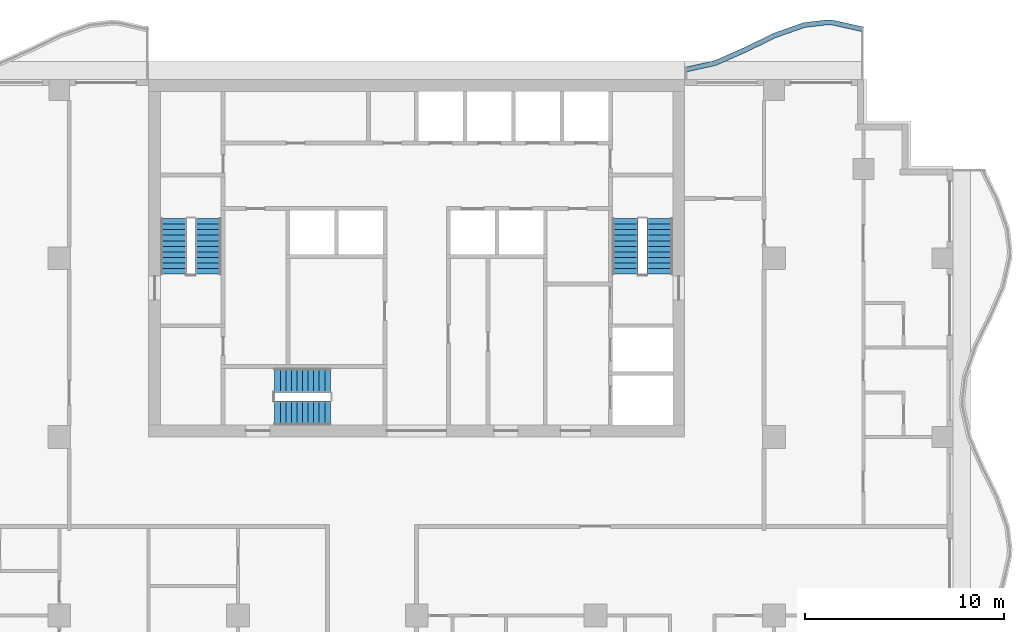
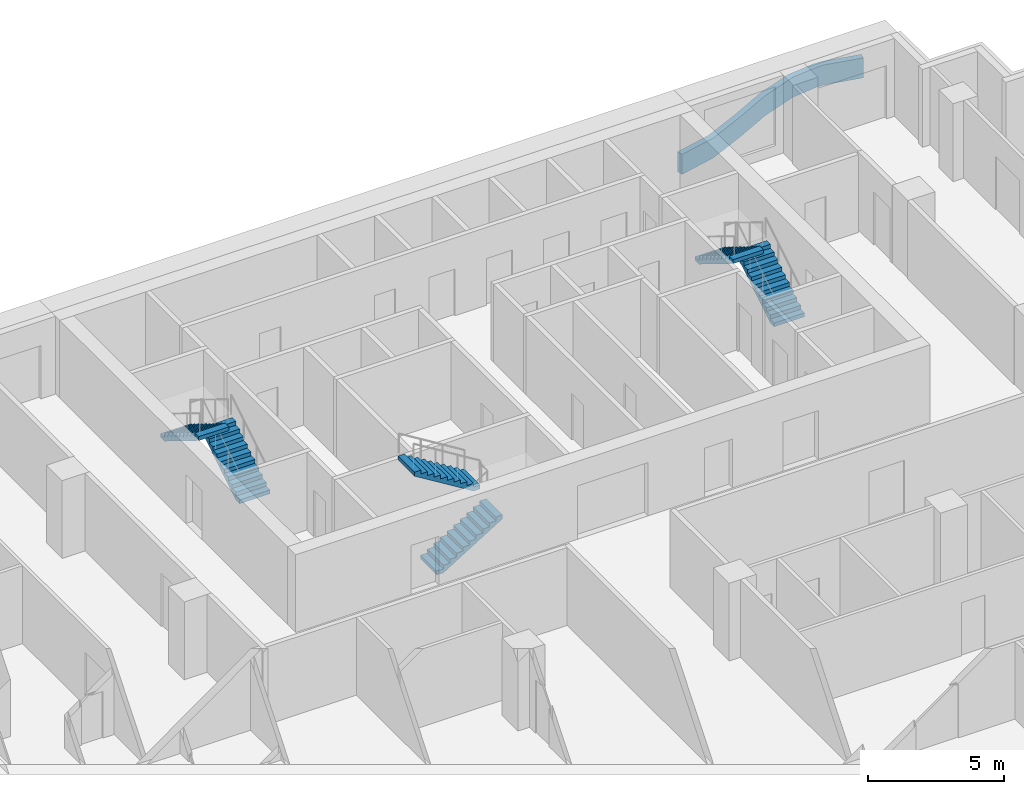
# One storey, part 7 of 11: 6 stair flights, 1 wall, 3 elements without a shape of their own.
"""IFC4 building model written with IfcOpenShell, lengths in metres."""

from ifc_helpers import new_model, si_unit, direction, frame, origin, place, context, subcontext, project, spatial, polyline, outline, extrude, material, layer, layer_set, type_object, element, aggregate, save


model = new_model("IFC4")

# Units and contexts
model_context = context("Model", 3, precision=1e-05, world=origin(), true_north=direction((0.0, 1.0)))
body_context = subcontext(model_context, "Body", "Model", "MODEL_VIEW")
ifc_project = project(units=[si_unit("LENGTHUNIT", "METRE"), si_unit("AREAUNIT", "SQUARE_METRE"), si_unit("VOLUMEUNIT", "CUBIC_METRE"), si_unit("PLANEANGLEUNIT", "RADIAN"), si_unit("MASSUNIT", "GRAM", prefix="KILO")], contexts=[model_context])

# Site, building, storey
site_placement = place(None, origin())
site = spatial("IfcSite", under=ifc_project, at=site_placement, CompositionType="ELEMENT")
building_placement = place(site_placement, origin())
building = spatial("IfcBuilding", under=site, at=building_placement, Name="Orbiselva Terraces", CompositionType="ELEMENT")
storey_placement = place(building_placement, frame((0.0, 0.0, 184.4)))
storey = spatial("IfcBuildingStorey", under=building, at=storey_placement, Name="L46", CompositionType="ELEMENT", Elevation=184.4)

# Wall
ifc_material = material(Name="Concrete C40/50", Category="concrete")
ifc_layer = layer(ifc_material, 0.25)
ifc_layer_set = layer_set([ifc_layer], Name="Concrete C40/50")
wall_type = type_object("IfcWallType", Name="ENV-PLANTER-250x900", PredefinedType="USERDEFINED", material=ifc_layer_set)
wall_placement = place(storey_placement, origin())
element("IfcWall", 1, at=wall_placement, inside=storey, type_object=wall_type, Name="Balcony planter L46 NE", ObjectType="PLANTER", PredefinedType="USERDEFINED", context=body_context, shape_type="SweptSolid", body=[
    extrude(outline(polyline([(22.5, 25.148528), (21.0, 25.485226), (20.625, 25.5), (19.5, 25.369208), (18.0, 24.844789), (16.5, 24.112279), (15.0, 23.451472), (13.5, 23.114774), (13.554754, 22.870844), (15.078508, 23.212874), (16.605286, 23.885477), (18.09644, 24.613667), (19.556371, 25.124078), (20.634572, 25.249429), (20.967435, 25.236315), (22.445246, 24.904598), (22.5, 25.148528)])), origin(), (0.0, 0.0, 1.0), 0.9),
])

# Stair, stair flights
stair_type_1 = type_object("IfcStairType", Name="CORE-STAIR-1200", PredefinedType="HALF_TURN_STAIR", material=ifc_material)
stair_1_placement = place(storey_placement, origin())
stair_1 = element("IfcStair", 2, at=stair_1_placement, inside=storey, type_object=stair_type_1, Name="L46 Exit Stair S3", PredefinedType="HALF_TURN_STAIR")
stair_flight_type_1 = type_object("IfcStairFlightType", Name="CORE-STAIR-FLIGHT-1200", PredefinedType="STRAIGHT", material=ifc_material)
stair_flight_1_placement = place(storey_placement, frame((-7.15, 5.7, 0.0), z_axis=(0.0, 0.0, 1.0), x_axis=(1.0, 0.0, 0.0)))
stair_flight_1 = element("IfcStairFlight", 3, at=stair_flight_1_placement, type_object=stair_flight_type_1, Name="S3 flight 1", NumberOfRisers=11, NumberOfTreads=10, PredefinedType="STRAIGHT", RiserHeight=0.172727273, TreadLength=0.28, context=body_context, shape_type="SweptSolid", body=[
    extrude(outline(polyline([(0.0, 0.0), (0.0, 0.172727), (0.28, 0.172727), (0.28, 0.345455), (0.56, 0.345455), (0.56, 0.518182), (0.84, 0.518182), (0.84, 0.690909), (1.12, 0.690909), (1.12, 0.863636), (1.4, 0.863636), (1.4, 1.036364), (1.68, 1.036364), (1.68, 1.209091), (1.96, 1.209091), (1.96, 1.381818), (2.24, 1.381818), (2.24, 1.554545), (2.52, 1.554545), (2.52, 1.727273), (2.8, 1.727273), (2.8, 1.9), (2.8, 1.551028), (0.285702, 0.0), (0.0, 0.0)])), frame((0.0, 0.6, 0.0), z_axis=(0.0, -1.0, 0.0), x_axis=(1.0, 0.0, 0.0)), (0.0, 0.0, 1.0), 1.2),
])
stair_flight_2_placement = place(storey_placement, frame((-4.35, 7.35, 1.9), z_axis=(0.0, 0.0, 1.0), x_axis=(-1.0, 0.0, 0.0)))
stair_flight_2 = element("IfcStairFlight", 4, at=stair_flight_2_placement, type_object=stair_flight_type_1, Name="S3 flight 2", NumberOfRisers=11, NumberOfTreads=10, PredefinedType="STRAIGHT", RiserHeight=0.172727273, TreadLength=0.28, context=body_context, shape_type="SweptSolid", body=[
    extrude(outline(polyline([(0.0, 0.0), (0.0, 0.172727), (0.28, 0.172727), (0.28, 0.345455), (0.56, 0.345455), (0.56, 0.518182), (0.84, 0.518182), (0.84, 0.690909), (1.12, 0.690909), (1.12, 0.863636), (1.4, 0.863636), (1.4, 1.036364), (1.68, 1.036364), (1.68, 1.209091), (1.96, 1.209091), (1.96, 1.381818), (2.24, 1.381818), (2.24, 1.554545), (2.52, 1.554545), (2.52, 1.727273), (2.8, 1.727273), (2.8, 1.9), (2.8, 1.551028), (0.285702, 0.0), (0.0, 0.0)])), frame((0.0, 0.6, 0.0), z_axis=(0.0, -1.0, 0.0), x_axis=(1.0, 0.0, 0.0)), (0.0, 0.0, 1.0), 1.2),
])
aggregate(stair_1, [stair_flight_1, stair_flight_2])

stair_type_2 = type_object("IfcStairType", Name="CORE-STAIR-1300", PredefinedType="HALF_TURN_STAIR", material=ifc_material)
stair_2_placement = place(storey_placement, origin())
stair_2 = element("IfcStair", 5, at=stair_2_placement, inside=storey, type_object=stair_type_2, Name="L46 Exit Stair S1", PredefinedType="HALF_TURN_STAIR")
stair_flight_type_2 = type_object("IfcStairFlightType", Name="CORE-STAIR-FLIGHT-1300", PredefinedType="STRAIGHT", material=ifc_material)
stair_flight_3_placement = place(storey_placement, frame((-10.5, 12.7, 0.0), z_axis=(0.0, 0.0, 1.0), x_axis=(0.0, 1.0, 0.0)))
stair_flight_3 = element("IfcStairFlight", 6, at=stair_flight_3_placement, type_object=stair_flight_type_2, Name="S1 flight 1", NumberOfRisers=11, NumberOfTreads=10, PredefinedType="STRAIGHT", RiserHeight=0.172727273, TreadLength=0.28, context=body_context, shape_type="SweptSolid", body=[
    extrude(outline(polyline([(0.0, 0.0), (0.0, 0.172727), (0.28, 0.172727), (0.28, 0.345455), (0.56, 0.345455), (0.56, 0.518182), (0.84, 0.518182), (0.84, 0.690909), (1.12, 0.690909), (1.12, 0.863636), (1.4, 0.863636), (1.4, 1.036364), (1.68, 1.036364), (1.68, 1.209091), (1.96, 1.209091), (1.96, 1.381818), (2.24, 1.381818), (2.24, 1.554545), (2.52, 1.554545), (2.52, 1.727273), (2.8, 1.727273), (2.8, 1.9), (2.8, 1.551028), (0.285702, 0.0), (0.0, 0.0)])), frame((0.0, 0.65, 0.0), z_axis=(0.0, -1.0, 0.0), x_axis=(1.0, 0.0, 0.0)), (0.0, 0.0, 1.0), 1.3),
])
stair_flight_4_placement = place(storey_placement, frame((-12.25, 15.5, 1.9), z_axis=(0.0, 0.0, 1.0), x_axis=(0.0, -1.0, 0.0)))
stair_flight_4 = element("IfcStairFlight", 7, at=stair_flight_4_placement, type_object=stair_flight_type_2, Name="S1 flight 2", NumberOfRisers=11, NumberOfTreads=10, PredefinedType="STRAIGHT", RiserHeight=0.172727273, TreadLength=0.28, context=body_context, shape_type="SweptSolid", body=[
    extrude(outline(polyline([(0.0, 0.0), (0.0, 0.172727), (0.28, 0.172727), (0.28, 0.345455), (0.56, 0.345455), (0.56, 0.518182), (0.84, 0.518182), (0.84, 0.690909), (1.12, 0.690909), (1.12, 0.863636), (1.4, 0.863636), (1.4, 1.036364), (1.68, 1.036364), (1.68, 1.209091), (1.96, 1.209091), (1.96, 1.381818), (2.24, 1.381818), (2.24, 1.554545), (2.52, 1.554545), (2.52, 1.727273), (2.8, 1.727273), (2.8, 1.9), (2.8, 1.551028), (0.285702, 0.0), (0.0, 0.0)])), frame((0.0, 0.65, 0.0), z_axis=(0.0, -1.0, 0.0), x_axis=(1.0, 0.0, 0.0)), (0.0, 0.0, 1.0), 1.3),
])
aggregate(stair_2, [stair_flight_3, stair_flight_4])

stair_3_placement = place(storey_placement, origin())
stair_3 = element("IfcStair", 8, at=stair_3_placement, inside=storey, type_object=stair_type_2, Name="L46 Exit Stair S2", PredefinedType="HALF_TURN_STAIR")
stair_flight_5_placement = place(storey_placement, frame((12.25, 12.7, 0.0), z_axis=(0.0, 0.0, 1.0), x_axis=(0.0, 1.0, 0.0)))
stair_flight_5 = element("IfcStairFlight", 9, at=stair_flight_5_placement, type_object=stair_flight_type_2, Name="S2 flight 1", NumberOfRisers=11, NumberOfTreads=10, PredefinedType="STRAIGHT", RiserHeight=0.172727273, TreadLength=0.28, context=body_context, shape_type="SweptSolid", body=[
    extrude(outline(polyline([(0.0, 0.0), (0.0, 0.172727), (0.28, 0.172727), (0.28, 0.345455), (0.56, 0.345455), (0.56, 0.518182), (0.84, 0.518182), (0.84, 0.690909), (1.12, 0.690909), (1.12, 0.863636), (1.4, 0.863636), (1.4, 1.036364), (1.68, 1.036364), (1.68, 1.209091), (1.96, 1.209091), (1.96, 1.381818), (2.24, 1.381818), (2.24, 1.554545), (2.52, 1.554545), (2.52, 1.727273), (2.8, 1.727273), (2.8, 1.9), (2.8, 1.551028), (0.285702, 0.0), (0.0, 0.0)])), frame((0.0, 0.65, 0.0), z_axis=(0.0, -1.0, 0.0), x_axis=(1.0, 0.0, 0.0)), (0.0, 0.0, 1.0), 1.3),
])
stair_flight_6_placement = place(storey_placement, frame((10.5, 15.5, 1.9), z_axis=(0.0, 0.0, 1.0), x_axis=(0.0, -1.0, 0.0)))
stair_flight_6 = element("IfcStairFlight", 10, at=stair_flight_6_placement, type_object=stair_flight_type_2, Name="S2 flight 2", NumberOfRisers=11, NumberOfTreads=10, PredefinedType="STRAIGHT", RiserHeight=0.172727273, TreadLength=0.28, context=body_context, shape_type="SweptSolid", body=[
    extrude(outline(polyline([(0.0, 0.0), (0.0, 0.172727), (0.28, 0.172727), (0.28, 0.345455), (0.56, 0.345455), (0.56, 0.518182), (0.84, 0.518182), (0.84, 0.690909), (1.12, 0.690909), (1.12, 0.863636), (1.4, 0.863636), (1.4, 1.036364), (1.68, 1.036364), (1.68, 1.209091), (1.96, 1.209091), (1.96, 1.381818), (2.24, 1.381818), (2.24, 1.554545), (2.52, 1.554545), (2.52, 1.727273), (2.8, 1.727273), (2.8, 1.9), (2.8, 1.551028), (0.285702, 0.0), (0.0, 0.0)])), frame((0.0, 0.65, 0.0), z_axis=(0.0, -1.0, 0.0), x_axis=(1.0, 0.0, 0.0)), (0.0, 0.0, 1.0), 1.3),
])
aggregate(stair_3, [stair_flight_5, stair_flight_6])

save(model, "model.ifc")
